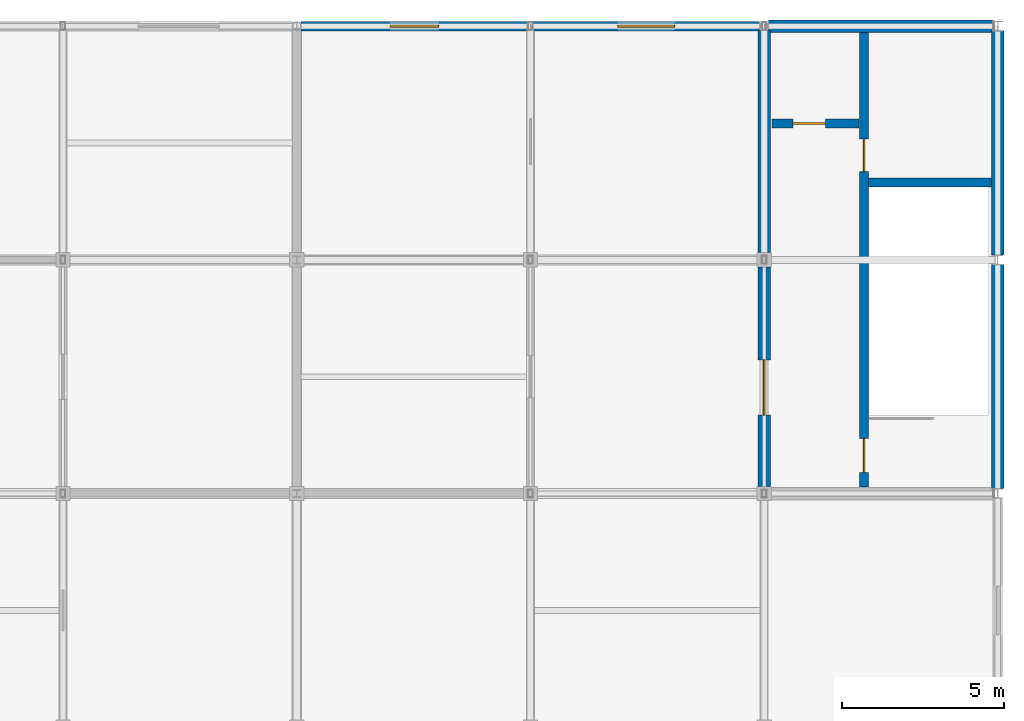
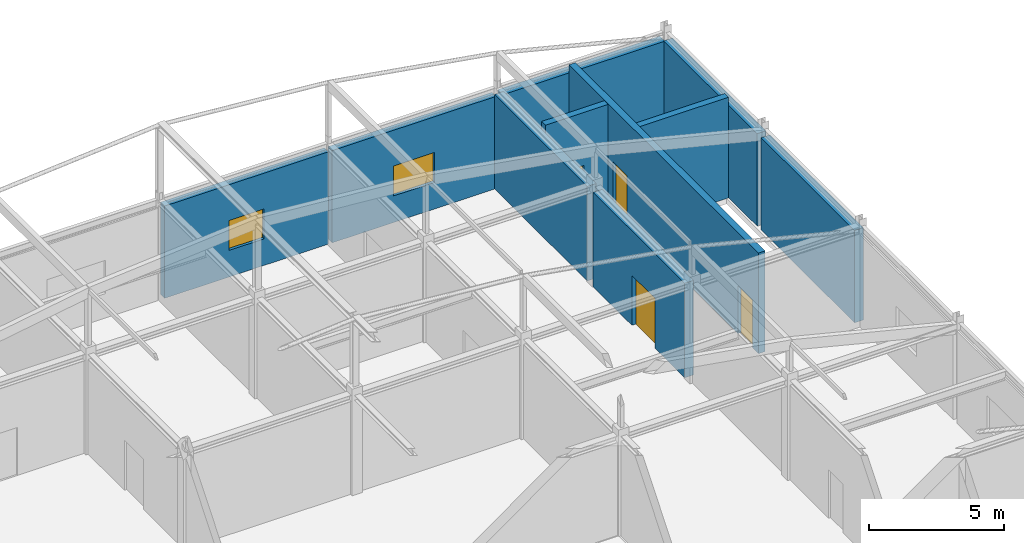
# One storey, part 22 of 23: 10 walls, 4 doors, 2 windows, 6 openings.
"""IFC4 building model written with IfcOpenShell, lengths in metres."""

from ifc_helpers import new_model, si_unit, direction, frame, frame_2d, origin, place, context, subcontext, project, spatial, rectangle, extrude, material, layer, layer_set, type_object, element, fill, save


model = new_model("IFC4")

# Units and contexts
model_context = context("Model", 3, precision=1e-05, world=origin(), true_north=direction((0.0, 1.0)))
body_context = subcontext(model_context, "Body", "Model", "MODEL_VIEW")
ifc_project = project(units=[si_unit("LENGTHUNIT", "METRE"), si_unit("AREAUNIT", "SQUARE_METRE"), si_unit("VOLUMEUNIT", "CUBIC_METRE"), si_unit("PLANEANGLEUNIT", "RADIAN"), si_unit("MASSUNIT", "GRAM", prefix="KILO")], contexts=[model_context])

# Site, building, storey
site_placement = place(None, origin())
site = spatial("IfcSite", under=ifc_project, at=site_placement, CompositionType="ELEMENT")
building_placement = place(site_placement, origin())
building = spatial("IfcBuilding", under=site, at=building_placement, Name="Cendaluz Park School", CompositionType="ELEMENT")
storey_placement = place(building_placement, frame((0.0, 0.0, 67.199951171875)))
storey = spatial("IfcBuildingStorey", under=building, at=storey_placement, Name="L16", CompositionType="ELEMENT", Elevation=67.199951171875)

# Wall, opening, window
ifc_material_1 = material(Name="Cross-laminated timber CLT C24", Category="wood")
ifc_layer_1 = layer(ifc_material_1, 0.300048828125)
ifc_layer_set_1 = layer_set([ifc_layer_1], Name="Cross-laminated timber CLT C24")
wall_type_1 = type_object("IfcWallType", Name="W-EX30", PredefinedType="SOLIDWALL", material=ifc_layer_set_1)
wall_1_placement = place(storey_placement, frame((86.53662109375, 57.60009765625, 0.0), z_axis=(0.0, 0.0, 1.0), x_axis=(1.0, 0.0, 0.0)))
wall_1 = element("IfcWall", 1, at=wall_1_placement, inside=storey, type_object=wall_type_1, Name="WL-FQ-AA7", PredefinedType="SOLIDWALL", context=body_context, shape_type="SweptSolid", body=[
    extrude(rectangle(XDim=6.98828125, YDim=0.300048828125, at=frame_2d((3.494140625, 0.0))), origin(), (0.0, 0.0, 1.0), 4.16015625),
])
opening_1_placement = place(wall_1_placement, frame((2.744384765625, 0.0, 1.199951171875)))
opening_1 = element("IfcOpeningElement", 2, at=opening_1_placement, cuts=wall_1, Name="Opening WN-20", PredefinedType="OPENING", context=body_context, shape_type="SweptSolid", body=[
    extrude(rectangle(XDim=1.5, YDim=1.35009765625, at=frame_2d((0.75, 0.675048828125))), frame((0.0, 0.162109375, 0.0), z_axis=(0.0, -1.0, 0.0), x_axis=(1.0, 0.0, 0.0)), (0.0, 0.0, 1.0), 0.323974609375),
])
ifc_material_2 = material(Name="Tempered Low-E Double Glazing", Category="glass")
window_type_1 = type_object("IfcWindowType", Name="WN-20", PartitioningType="SINGLE_PANEL", PredefinedType="WINDOW", material=ifc_material_2)
window_1_placement = place(opening_1_placement, origin())
window_1 = element("IfcWindow", 3, at=window_1_placement, inside=storey, type_object=window_type_1, Name="WN-L16-008", OverallHeight=1.35009765625, OverallWidth=1.5, PartitioningType="SINGLE_PANEL", PredefinedType="WINDOW", context=body_context, shape_type="SweptSolid", body=[
    extrude(rectangle(XDim=1.5, YDim=1.35009765625, at=frame_2d((0.75, 0.675048828125))), frame((0.0, 0.030029296875, 0.0), z_axis=(0.0, -1.0, 0.0), x_axis=(1.0, 0.0, 0.0)), (0.0, 0.0, 1.0), 0.06005859375),
])
fill(opening_1, window_1)

wall_2_placement = place(storey_placement, frame((93.675048828125, 57.60009765625, 0.0), z_axis=(0.0, 0.0, 1.0), x_axis=(1.0, 0.0, 0.0)))
wall_2 = element("IfcWall", 4, at=wall_2_placement, inside=storey, type_object=wall_type_1, Name="WL-FQ-AA9", PredefinedType="SOLIDWALL", context=body_context, shape_type="SweptSolid", body=[
    extrude(rectangle(XDim=6.988525390625, YDim=0.300048828125, at=frame_2d((3.494140625, 0.0))), origin(), (0.0, 0.0, 1.0), 4.16015625),
])
opening_2_placement = place(wall_2_placement, frame((2.619384765625, 0.0, 1.199951171875)))
opening_2 = element("IfcOpeningElement", 5, at=opening_2_placement, cuts=wall_2, Name="Opening WN-21", PredefinedType="OPENING", context=body_context, shape_type="SweptSolid", body=[
    extrude(rectangle(XDim=1.75, YDim=1.35009765625, at=frame_2d((0.875, 0.675048828125))), frame((0.0, 0.162109375, 0.0), z_axis=(0.0, -1.0, 0.0), x_axis=(1.0, 0.0, 0.0)), (0.0, 0.0, 1.0), 0.323974609375),
])
window_type_2 = type_object("IfcWindowType", Name="WN-21", PartitioningType="SINGLE_PANEL", PredefinedType="WINDOW", material=ifc_material_2)
window_2_placement = place(opening_2_placement, origin())
window_2 = element("IfcWindow", 6, at=window_2_placement, inside=storey, type_object=window_type_2, Name="WN-L16-010", OverallHeight=1.35009765625, OverallWidth=1.75, PartitioningType="SINGLE_PANEL", PredefinedType="WINDOW", context=body_context, shape_type="SweptSolid", body=[
    extrude(rectangle(XDim=1.75, YDim=1.35009765625, at=frame_2d((0.875, 0.675048828125))), frame((0.0, 0.030029296875, 0.0), z_axis=(0.0, -1.0, 0.0), x_axis=(1.0, 0.0, 0.0)), (0.0, 0.0, 1.0), 0.06005859375),
])
fill(opening_2, window_2)

# Wall, openings, doors
ifc_material_3 = material(Name="Concrete C40/50", Category="concrete")
ifc_layer_2 = layer(ifc_material_3, 0.280029296875)
ifc_layer_set_2 = layer_set([ifc_layer_2], Name="Concrete C40/50")
wall_type_2 = type_object("IfcWallType", Name="W-FW28", PredefinedType="SHEAR", material=ifc_layer_set_2)
wall_3_placement = place(storey_placement, frame((103.8798828125, 43.39990234375, 0.0), z_axis=(0.0, 0.0, 1.0), x_axis=(0.0, 1.0, 0.0)))
wall_3 = element("IfcWall", 7, at=wall_3_placement, inside=storey, type_object=wall_type_2, Name="WL-FQ-BI5", PredefinedType="SHEAR", context=body_context, shape_type="SweptSolid", body=[
    extrude(rectangle(XDim=14.0, YDim=0.280029296875, at=frame_2d((7.0, 0.0))), origin(), (0.0, 0.0, 1.0), 4.5400390625),
])
opening_3_placement = place(wall_3_placement, frame((0.449951171875, 0.0, 0.0)))
opening_3 = element("IfcOpeningElement", 8, at=opening_3_placement, cuts=wall_3, Name="Opening DST-02", PredefinedType="OPENING", context=body_context, shape_type="SweptSolid", body=[
    extrude(rectangle(XDim=1.050048828125, YDim=2.14990234375, at=frame_2d((0.52490234375, 1.074951171875))), frame((0.0, 0.152099609375, 0.0), z_axis=(0.0, -1.0, 0.0), x_axis=(1.0, 0.0, 0.0)), (0.0, 0.0, 1.0), 0.303955078125),
])
opening_4_placement = place(wall_3_placement, frame((9.719970703125, 0.0, 0.0)))
opening_4 = element("IfcOpeningElement", 9, at=opening_4_placement, cuts=wall_3, Name="Opening DFC-01", PredefinedType="OPENING", context=body_context, shape_type="SweptSolid", body=[
    extrude(rectangle(XDim=1.0, YDim=2.14990234375, at=frame_2d((0.5, 1.074951171875))), frame((0.0, 0.152099609375, 0.0), z_axis=(0.0, -1.0, 0.0), x_axis=(1.0, 0.0, 0.0)), (0.0, 0.0, 1.0), 0.303955078125),
])
ifc_material_4 = material(Name="Solid Core Hardwood", Category="wood")
door_type_1 = type_object("IfcDoorType", Name="DFC-01", OperationType="NOTDEFINED", PredefinedType="DOOR", material=ifc_material_4)
door_1_placement = place(opening_4_placement, frame((1.0, 0.0, 0.0), z_axis=(0.0, 0.0, 1.0), x_axis=(-1.0, 0.0, 0.0)))
door_1 = element("IfcDoor", 10, at=door_1_placement, inside=storey, type_object=door_type_1, Name="D-L16-015", OperationType="SINGLE_SWING_LEFT", OverallHeight=2.14990234375, OverallWidth=1.0, PredefinedType="DOOR", context=body_context, shape_type="SweptSolid", body=[
    extrude(rectangle(XDim=1.0, YDim=2.14990234375, at=frame_2d((0.5, 1.074951171875))), frame((0.0, 0.02490234375, 0.0), z_axis=(0.0, -1.0, 0.0), x_axis=(1.0, 0.0, 0.0)), (0.0, 0.0, 1.0), 0.050048828125),
])
fill(opening_4, door_1)
door_type_2 = type_object("IfcDoorType", Name="DST-02", OperationType="NOTDEFINED", PredefinedType="DOOR", material=ifc_material_4)
door_2_placement = place(opening_3_placement, frame((1.050048828125, 0.0, 0.0), z_axis=(0.0, 0.0, 1.0), x_axis=(-1.0, 0.0, 0.0)))
door_2 = element("IfcDoor", 11, at=door_2_placement, inside=storey, type_object=door_type_2, Name="D-L16-014", OperationType="SINGLE_SWING_RIGHT", OverallHeight=2.14990234375, OverallWidth=1.050048828125, PredefinedType="DOOR", context=body_context, shape_type="SweptSolid", body=[
    extrude(rectangle(XDim=1.050048828125, YDim=2.14990234375, at=frame_2d((0.52490234375, 1.074951171875))), frame((0.0, 0.02490234375, 0.0), z_axis=(0.0, -1.0, 0.0), x_axis=(1.0, 0.0, 0.0)), (0.0, 0.0, 1.0), 0.050048828125),
])
fill(opening_3, door_2)

# Wall
wall_4_placement = place(storey_placement, frame((104.02001953125, 52.780029296875, 0.0), z_axis=(0.0, 0.0, 1.0), x_axis=(1.0, 0.0, 0.0)))
element("IfcWall", 12, at=wall_4_placement, inside=storey, type_object=wall_type_2, Name="WL-FQ-BI6", PredefinedType="SHEAR", context=body_context, shape_type="SweptSolid", body=[
    extrude(rectangle(XDim=3.780029296875, YDim=0.280029296875, at=frame_2d((1.89013671875, 0.0))), origin(), (0.0, 0.0, 1.0), 4.5400390625),
])

# Wall, opening, door
wall_5_placement = place(storey_placement, frame((101.0400390625, 54.60009765625, 0.0), z_axis=(0.0, 0.0, 1.0), x_axis=(1.0, 0.0, 0.0)))
wall_5 = element("IfcWall", 13, at=wall_5_placement, inside=storey, type_object=wall_type_2, Name="WL-FQ-BI7", PredefinedType="SHEAR", context=body_context, shape_type="SweptSolid", body=[
    extrude(rectangle(XDim=2.679931640625, YDim=0.280029296875, at=frame_2d((1.33984375, 0.0))), origin(), (0.0, 0.0, 1.0), 4.5400390625),
])
opening_5_placement = place(wall_5_placement, frame((0.64990234375, 0.0, 0.0)))
opening_5 = element("IfcOpeningElement", 14, at=opening_5_placement, cuts=wall_5, Name="Opening DFC-01", PredefinedType="OPENING", context=body_context, shape_type="SweptSolid", body=[
    extrude(rectangle(XDim=1.0, YDim=2.14990234375, at=frame_2d((0.5, 1.074951171875))), frame((0.0, 0.152099609375, 0.0), z_axis=(0.0, -1.0, 0.0), x_axis=(1.0, 0.0, 0.0)), (0.0, 0.0, 1.0), 0.303955078125),
])
door_3_placement = place(opening_5_placement, frame((1.0, 0.0, 0.0), z_axis=(0.0, 0.0, 1.0), x_axis=(-1.0, 0.0, 0.0)))
door_3 = element("IfcDoor", 15, at=door_3_placement, inside=storey, type_object=door_type_1, Name="D-L16-016", OperationType="SINGLE_SWING_RIGHT", OverallHeight=2.14990234375, OverallWidth=1.0, PredefinedType="DOOR", context=body_context, shape_type="SweptSolid", body=[
    extrude(rectangle(XDim=1.0, YDim=2.14990234375, at=frame_2d((0.5, 1.074951171875))), frame((0.0, 0.02490234375, 0.0), z_axis=(0.0, -1.0, 0.0), x_axis=(1.0, 0.0, 0.0)), (0.0, 0.0, 1.0), 0.050048828125),
])
fill(opening_5, door_3)

ifc_layer_3 = layer(ifc_material_3, 0.3798828125)
ifc_layer_set_3 = layer_set([ifc_layer_3], Name="Concrete C40/50")
wall_type_3 = type_object("IfcWallType", Name="W-SH38", PredefinedType="SHEAR", material=ifc_layer_set_3)
wall_6_placement = place(storey_placement, frame((100.800048828125, 43.419921875, 0.0), z_axis=(0.0, 0.0, 1.0), x_axis=(0.0, 1.0, 0.0)))
wall_6 = element("IfcWall", 16, at=wall_6_placement, inside=storey, type_object=wall_type_3, Name="WL-FQ-BH9", PredefinedType="SHEAR", context=body_context, shape_type="SweptSolid", body=[
    extrude(rectangle(XDim=6.760009765625, YDim=0.3798828125, at=frame_2d((3.3798828125, 0.0))), origin(), (0.0, 0.0, 1.0), 4.260009765625),
])
opening_6_placement = place(wall_6_placement, frame((2.199951171875, 0.0, 0.0)))
opening_6 = element("IfcOpeningElement", 17, at=opening_6_placement, cuts=wall_6, Name="Opening DLB-02", PredefinedType="OPENING", context=body_context, shape_type="SweptSolid", body=[
    extrude(rectangle(XDim=1.699951171875, YDim=2.25, at=frame_2d((0.85009765625, 1.125))), frame((0.0, 0.201904296875, 0.0), z_axis=(0.0, -1.0, 0.0), x_axis=(1.0, 0.0, 0.0)), (0.0, 0.0, 1.0), 0.40380859375),
])
door_type_3 = type_object("IfcDoorType", Name="DLB-02", OperationType="DOUBLE_DOOR_SINGLE_SWING", PredefinedType="DOOR", material=ifc_material_4)
door_4_placement = place(opening_6_placement, frame((1.699951171875, 0.0, 0.0), z_axis=(0.0, 0.0, 1.0), x_axis=(-1.0, 0.0, 0.0)))
door_4 = element("IfcDoor", 18, at=door_4_placement, inside=storey, type_object=door_type_3, Name="D-L16-013", OperationType="DOUBLE_DOOR_SINGLE_SWING", OverallHeight=2.25, OverallWidth=1.699951171875, PredefinedType="DOOR", context=body_context, shape_type="SweptSolid", body=[
    extrude(rectangle(XDim=1.699951171875, YDim=2.25, at=frame_2d((0.85009765625, 1.125))), frame((0.0, 0.02490234375, 0.0), z_axis=(0.0, -1.0, 0.0), x_axis=(1.0, 0.0, 0.0)), (0.0, 0.0, 1.0), 0.050048828125),
])
fill(opening_6, door_4)

# Walls
wall_7_placement = place(storey_placement, frame((100.800048828125, 50.6201171875, 0.0), z_axis=(0.0, 0.0, 1.0), x_axis=(0.0, 1.0, 0.0)))
element("IfcWall", 19, at=wall_7_placement, inside=storey, type_object=wall_type_3, Name="WL-FQ-BI0", PredefinedType="SHEAR", context=body_context, shape_type="SweptSolid", body=[
    extrude(rectangle(XDim=6.84326171875, YDim=0.3798828125, at=frame_2d((3.421630859375, 0.0))), origin(), (0.0, 0.0, 1.0), 4.260009765625),
])
wall_8_placement = place(storey_placement, frame((108.0, 43.35009765625, 0.0), z_axis=(0.0, 0.0, 1.0), x_axis=(0.0, 1.0, 0.0)))
element("IfcWall", 20, at=wall_8_placement, inside=storey, type_object=wall_type_3, Name="WL-FQ-BI1", PredefinedType="SHEAR", context=body_context, shape_type="SweptSolid", body=[
    extrude(rectangle(XDim=6.90478515625, YDim=0.3798828125, at=frame_2d((3.452392578125, 0.0))), origin(), (0.0, 0.0, 1.0), 4.16015625),
])
wall_9_placement = place(storey_placement, frame((108.0, 50.544921875, 0.0), z_axis=(0.0, 0.0, 1.0), x_axis=(0.0, 1.0, 0.0)))
element("IfcWall", 21, at=wall_9_placement, inside=storey, type_object=wall_type_3, Name="WL-FQ-BI2", PredefinedType="SHEAR", context=body_context, shape_type="SweptSolid", body=[
    extrude(rectangle(XDim=6.905029296875, YDim=0.3798828125, at=frame_2d((3.45263671875, 0.0))), origin(), (0.0, 0.0, 1.0), 4.16015625),
])
wall_10_placement = place(storey_placement, frame((100.9365234375, 57.60009765625, 0.0), z_axis=(0.0, 0.0, 1.0), x_axis=(1.0, 0.0, 0.0)))
element("IfcWall", 22, at=wall_10_placement, inside=storey, type_object=wall_type_3, Name="WL-FQ-BI4", PredefinedType="SHEAR", context=body_context, shape_type="SweptSolid", body=[
    extrude(rectangle(XDim=6.91357421875, YDim=0.3798828125, at=frame_2d((3.456787109375, 0.0))), origin(), (0.0, 0.0, 1.0), 4.16015625),
])

save(model, "model.ifc")
